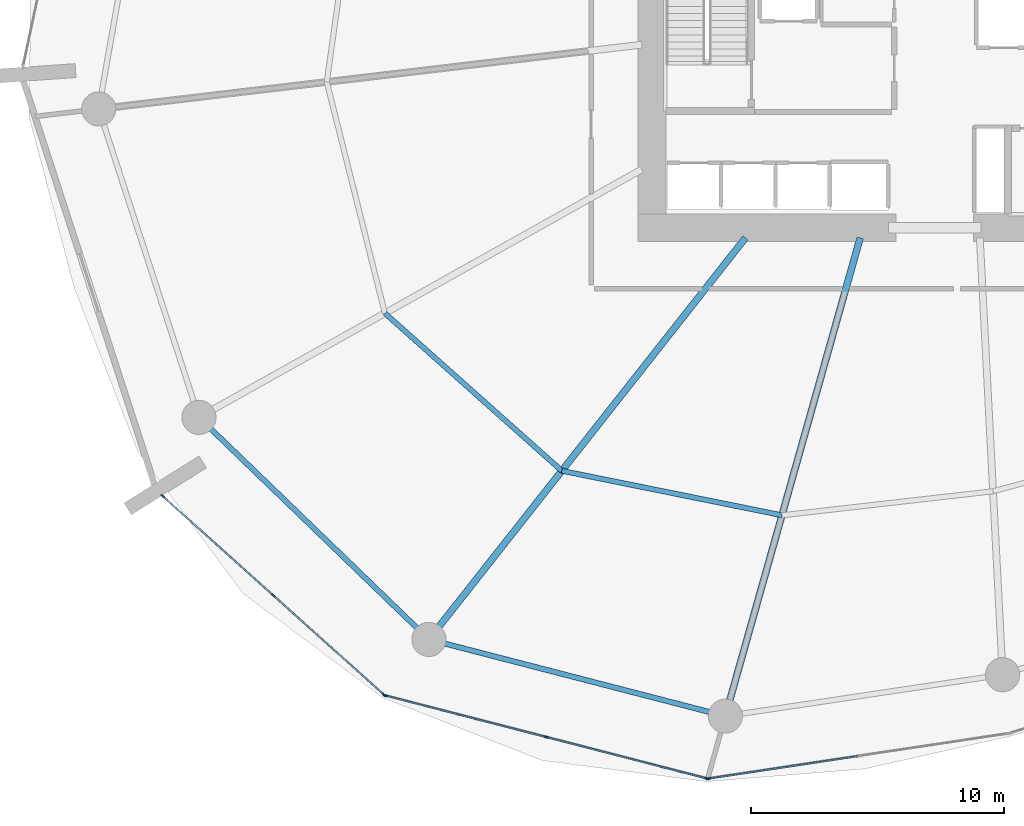
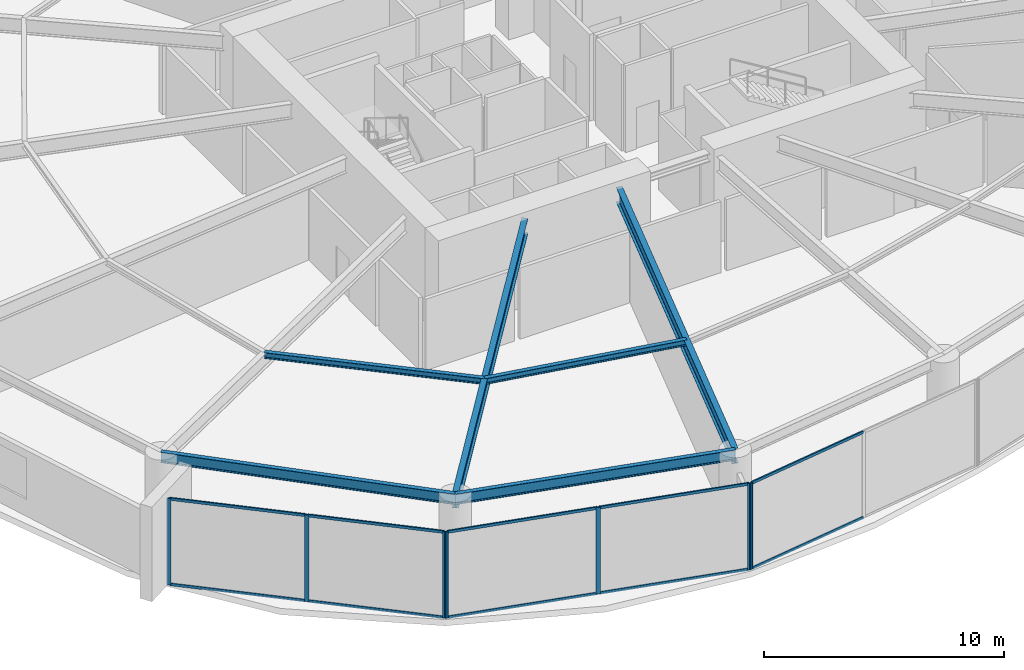
# One storey, part 7 of 22: 17 members, 6 beams, 3 elements without a shape of their own.
"""IFC4 building model written with IfcOpenShell, lengths in metres."""

import ifcopenshell
import ifcopenshell.guid

model = None  # the IFC model being written
_history = None  # IfcOwnerHistory: only IFC2X3 demands one
_inside = {}  # id of a spatial element -> (the spatial element, [elements in it])
_under = {}  # id of a project, library or spatial element -> (it, [spatial elements below it])
_declared = {}  # id of a project -> (the project, [libraries it declares])
_typed = {}  # id of a type object -> (the type object, [elements of that type])
_made_of = {}  # id of a material, layer set ... -> (it, [elements and type objects made of it])


def new_model(schema):
    """Start an empty IFC model of exactly this schema.

    Asked for "IFC4X3", IfcOpenShell would pick the latest addendum, in which some entities
    have other attributes; the version numbers below select the first issue.
    IFC2X3 requires an IfcOwnerHistory on every rooted entity: one is made here for all.
    """
    global model, _history
    if schema == "IFC4X3":
        model = ifcopenshell.file(schema_version=(4, 3, 0, 0))
    else:
        model = ifcopenshell.file(schema=schema)
    _inside.clear()
    _under.clear()
    _declared.clear()
    _typed.clear()
    _made_of.clear()
    _history = None
    if model.schema == "IFC2X3":
        org = make("IfcOrganization", Name="unknown")
        user = make(
            "IfcPersonAndOrganization",
            ThePerson=make("IfcPerson", FamilyName="unknown"),
            TheOrganization=org,
        )
        app = make(
            "IfcApplication",
            ApplicationDeveloper=org,
            Version="unknown",
            ApplicationFullName="unknown",
            ApplicationIdentifier="unknown",
        )
        _history = make(
            "IfcOwnerHistory",
            OwningUser=user,
            OwningApplication=app,
            ChangeAction="ADDED",
            CreationDate=0,
        )
    return model


def make(cls, **values):
    """One entity of the class cls with the attributes given. An attribute that is None is left unset."""
    return model.create_entity(
        cls, **{name: value for name, value in values.items() if value is not None}
    )


def rooted(cls, **values):
    """An entity with a GlobalId (a new one), such as an element, a storey or a relation."""
    return make(cls, GlobalId=ifcopenshell.guid.new(), OwnerHistory=_history, **values)


def si_unit(unit_type, name, prefix=None):
    """IfcSIUnit, for example si_unit("LENGTHUNIT", "METRE", prefix="MILLI")."""
    return make("IfcSIUnit", UnitType=unit_type, Prefix=prefix, Name=name)


def assignment(units):
    """IfcUnitAssignment: the units of a project."""
    return None if units is None else make("IfcUnitAssignment", Units=units)


def point(xyz):
    """IfcCartesianPoint."""
    return None if xyz is None else make("IfcCartesianPoint", Coordinates=xyz)


def direction(xyz):
    """IfcDirection."""
    return None if xyz is None else make("IfcDirection", DirectionRatios=xyz)


def frame(location, z_axis=None, x_axis=None):
    """IfcAxis2Placement3D, a coordinate frame: its origin and axes. An axis left out is left unset."""
    return make(
        "IfcAxis2Placement3D",
        Location=point(location),
        Axis=direction(z_axis),
        RefDirection=direction(x_axis),
    )


def frame_2d(location, x_axis=None):
    """IfcAxis2Placement2D, a coordinate frame in the plane: its origin and x axis."""
    return make(
        "IfcAxis2Placement2D", Location=point(location), RefDirection=direction(x_axis)
    )


def origin():
    """The frame at (0, 0, 0) with its axes left unset."""
    return frame((0.0, 0.0, 0.0))


def origin_2d():
    """The frame at (0, 0) in the plane with its x axis left unset."""
    return frame_2d((0.0, 0.0))


def place(relative_to, where):
    """IfcLocalPlacement: puts the frame where relative to a parent placement (None: the world)."""
    return make(
        "IfcLocalPlacement", PlacementRelTo=relative_to, RelativePlacement=where
    )


def context(
    kind, dimensions, precision=None, world=None, true_north=None, identifier=None
):
    """IfcGeometricRepresentationContext, for example the 3D "Model" context."""
    return make(
        "IfcGeometricRepresentationContext",
        ContextIdentifier=identifier,
        ContextType=kind,
        CoordinateSpaceDimension=dimensions,
        Precision=precision,
        WorldCoordinateSystem=world,
        TrueNorth=true_north,
    )


def subcontext(parent, identifier, kind, view, scale=None):
    """IfcGeometricRepresentationSubContext, for example "Body" below "Model"."""
    return make(
        "IfcGeometricRepresentationSubContext",
        ContextIdentifier=identifier,
        ContextType=kind,
        ParentContext=parent,
        TargetScale=scale,
        TargetView=view,
    )


def project(units=None, contexts=None):
    """IfcProject with its units and contexts."""
    return rooted(
        "IfcProject",
        Name="project",
        RepresentationContexts=contexts,
        UnitsInContext=assignment(units),
    )


def spatial(cls, under=None, at=None, **own):
    """A site, building, storey or space (cls), placed at a placement, below another one or the project."""
    s = rooted(cls, ObjectPlacement=at, **own)
    if under is not None:
        _under.setdefault(under.id(), (under, []))[1].append(s)
    return s


def profile(cls, at=None, kind="AREA", **sizes):
    """A parametric profile (cls). Its sizes go by their IFC names, for example OverallWidth=200.0."""
    return make(cls, ProfileType=kind, Position=at, **sizes)


def rectangle(**sizes):
    """IfcRectangleProfileDef."""
    return profile("IfcRectangleProfileDef", **sizes)


def i_section(**sizes):
    """IfcIShapeProfileDef."""
    return profile("IfcIShapeProfileDef", **sizes)


def extrude(swept, where, along, depth):
    """IfcExtrudedAreaSolid: the profile swept, set in the frame where, extruded along a direction by depth."""
    return make(
        "IfcExtrudedAreaSolid",
        SweptArea=swept,
        Position=where,
        ExtrudedDirection=direction(along),
        Depth=depth,
    )


def shape(context_of_items, identifier, shape_type, items):
    """IfcShapeRepresentation: the items that make up one representation, for example the "Body"."""
    return make(
        "IfcShapeRepresentation",
        ContextOfItems=context_of_items,
        RepresentationIdentifier=identifier,
        RepresentationType=shape_type,
        Items=items,
    )


def material(Name=None, Category=None):
    """IfcMaterial."""
    return make("IfcMaterial", Name=Name, Category=Category)


def layer(
    of_material, thickness, ventilated=None, Name=None, Category=None, Priority=None
):
    """IfcMaterialLayer: one layer of a wall or slab, of a material (None: an air gap)."""
    return make(
        "IfcMaterialLayer",
        Material=of_material,
        LayerThickness=thickness,
        IsVentilated=ventilated,
        Name=Name,
        Category=Category,
        Priority=Priority,
    )


def layer_set(layers, Name=None):
    """IfcMaterialLayerSet."""
    return make("IfcMaterialLayerSet", MaterialLayers=layers, LayerSetName=Name)


def material_profile(
    of_material, cross_section, Name=None, Category=None, Priority=None
):
    """IfcMaterialProfile: a cross section and its material."""
    return make(
        "IfcMaterialProfile",
        Name=Name,
        Material=of_material,
        Profile=cross_section,
        Priority=Priority,
        Category=Category,
    )


def profile_set(profiles, Name=None, composite=None):
    """IfcMaterialProfileSet."""
    return make(
        "IfcMaterialProfileSet",
        Name=Name,
        MaterialProfiles=profiles,
        CompositeProfile=composite,
    )


def made_of(thing, what):
    """Note that an element or type object is made of a material, layer set ...; save() writes the relation."""
    if what is not None:
        _made_of.setdefault(what.id(), (what, []))[1].append(thing)
    return thing


def type_object(cls, material=None, **own):
    """A type object (cls), such as IfcWallType, which elements share."""
    return made_of(rooted(cls, **own), material)


def element(
    cls,
    number,
    at=None,
    inside=None,
    cuts=None,
    type_object=None,
    material=None,
    context=None,
    identifier="Body",
    shape_type=None,
    held_by="IfcProductDefinitionShape",
    body=None,
    shapes=None,
    **own,
):
    """One element of the class cls, such as IfcWall. Its Tag is "e" and its number.

    at: its placement. inside: the storey or other place that contains it. cuts: it is an
    opening in that element (IfcRelVoidsElement). A single representation is given by context,
    identifier, shape_type and body (its items); several are given by shapes. held_by: the class
    of the entity that holds the representations. save() writes the other relations.
    """
    e = rooted(cls, Tag="e%d" % number, ObjectPlacement=at, **own)
    if body is not None:
        shapes = [shape(context, identifier, shape_type, body)]
    if shapes is not None:
        e.Representation = make(held_by, Representations=shapes)
    if inside is not None:
        _inside.setdefault(inside.id(), (inside, []))[1].append(e)
    if cuts is not None:
        rooted(
            "IfcRelVoidsElement", RelatingBuildingElement=cuts, RelatedOpeningElement=e
        )
    if type_object is not None:
        _typed.setdefault(type_object.id(), (type_object, []))[1].append(e)
    return made_of(e, material)


def aggregate(whole, parts):
    """IfcRelAggregates: a whole, such as a stair, and the parts it consists of."""
    return rooted("IfcRelAggregates", RelatingObject=whole, RelatedObjects=parts)


def save(model, path):
    """Write the relations noted so far, then the file.

    IfcRelAggregates (storeys below a building ...), IfcRelContainedInSpatialStructure (elements
    in a storey), IfcRelDefinesByType, IfcRelAssociatesMaterial and IfcRelDeclares: one each for
    every whole, place, type object, material and project.
    """
    for whole, parts in _under.values():
        aggregate(whole, parts)
    for where, things in _inside.values():
        rooted(
            "IfcRelContainedInSpatialStructure",
            RelatedElements=things,
            RelatingStructure=where,
        )
    for kind, things in _typed.values():
        rooted("IfcRelDefinesByType", RelatedObjects=things, RelatingType=kind)
    for what, things in _made_of.values():
        rooted("IfcRelAssociatesMaterial", RelatedObjects=things, RelatingMaterial=what)
    for by, libraries in _declared.values():
        rooted("IfcRelDeclares", RelatingContext=by, RelatedDefinitions=libraries)
    model.write(path)


model = new_model("IFC4")

# Units and contexts
model_context = context("Model", 3, precision=1e-05, world=origin(), true_north=direction((0.0, 1.0)))
body_context = subcontext(model_context, "Body", "Model", "MODEL_VIEW")
ifc_project = project(units=[si_unit("LENGTHUNIT", "METRE"), si_unit("AREAUNIT", "SQUARE_METRE"), si_unit("VOLUMEUNIT", "CUBIC_METRE"), si_unit("PLANEANGLEUNIT", "RADIAN"), si_unit("MASSUNIT", "GRAM", prefix="KILO")], contexts=[model_context])

# Site, building, storey
site_placement = place(None, origin())
site = spatial("IfcSite", under=ifc_project, at=site_placement, CompositionType="ELEMENT")
building_placement = place(site_placement, origin())
building = spatial("IfcBuilding", under=site, at=building_placement, Name="Kazma Halo Residences", CompositionType="ELEMENT")
storey_placement = place(building_placement, frame((0.0, 0.0, 16.800048828125)))
storey = spatial("IfcBuildingStorey", under=building, at=storey_placement, Name="L03", CompositionType="ELEMENT", Elevation=16.800048828125)

# Beams
ifc_material_1 = material(Name="Steel S355", Category="steel")
ifc_material_profile_1 = material_profile(ifc_material_1, i_section(OverallWidth=0.26708984375, OverallDepth=0.761962890625, WebThickness=0.014404296875, FlangeThickness=0.021484375, FilletRadius=0.02001953125, at=origin_2d()), Name="W760x173")
ifc_profile_set_1 = profile_set([ifc_material_profile_1], Name="Steel S355")
beam_type_1 = type_object("IfcBeamType", Name="BM-POD-W760", PredefinedType="BEAM", material=ifc_profile_set_1)
beam_1_placement = place(storey_placement, frame((40.9443359375, 33.050048828125, 4.01904296875), z_axis=(-0.619089277374, -0.785320613915, 0.0), x_axis=(0.785320613915, -0.619089277374, 0.0)))
element("IfcBeam", 1, at=beam_1_placement, inside=storey, type_object=beam_type_1, Name="L03 radial floor beam 10", PredefinedType="BEAM", context=body_context, shape_type="SweptSolid", body=[
    extrude(i_section(OverallWidth=0.26708984375, OverallDepth=0.761962890625, WebThickness=0.014404296875, FlangeThickness=0.021484375, FilletRadius=0.02001953125, at=origin_2d()), origin(), (0.0, 0.0, 1.0), 20.18701171875),
])
beam_2_placement = place(storey_placement, frame((45.475830078125, 33.050048828125, 4.01904296875), z_axis=(-0.271433858007, -0.962457095526, 0.0), x_axis=(0.962457095526, -0.271433858007, 0.0)))
element("IfcBeam", 2, at=beam_2_placement, inside=storey, type_object=beam_type_1, Name="L03 radial floor beam 11", PredefinedType="BEAM", context=body_context, shape_type="SweptSolid", body=[
    extrude(i_section(OverallWidth=0.26708984375, OverallDepth=0.761962890625, WebThickness=0.014404296875, FlangeThickness=0.021484375, FilletRadius=0.02001953125, at=origin_2d()), origin(), (0.0, 0.0, 1.0), 19.617919921875),
])
ifc_material_profile_2 = material_profile(ifc_material_1, i_section(OverallWidth=0.202880859375, OverallDepth=0.302978515625, WebThickness=0.007568359375, FlangeThickness=0.01318359375, FilletRadius=0.013916015625, at=origin_2d()), Name="W310x60")
ifc_profile_set_2 = profile_set([ifc_material_profile_2], Name="Steel S355")
beam_type_2 = type_object("IfcBeamType", Name="BM-SEC-W310A", PredefinedType="JOIST", material=ifc_profile_set_2)
beam_3_placement = place(storey_placement, frame((26.7099609375, 30.076904296875, 4.24853515625), z_axis=(0.74675669848, -0.665097311133, 0.0), x_axis=(0.665097311133, 0.74675669848, 0.0)))
element("IfcBeam", 3, at=beam_3_placement, inside=storey, type_object=beam_type_2, Name="L03 circumferential floor joist 09", PredefinedType="JOIST", context=body_context, shape_type="SweptSolid", body=[
    extrude(i_section(OverallWidth=0.202880859375, OverallDepth=0.302978515625, WebThickness=0.007568359375, FlangeThickness=0.01318359375, FilletRadius=0.013916015625, at=origin_2d()), origin(), (0.0, 0.0, 1.0), 9.35498046875),
])
beam_4_placement = place(storey_placement, frame((33.69580078125, 23.85498046875, 4.24853515625), z_axis=(0.980192243317, -0.198048393432, 0.0), x_axis=(0.198048393432, 0.980192243317, 0.0)))
element("IfcBeam", 4, at=beam_4_placement, inside=storey, type_object=beam_type_2, Name="L03 circumferential floor joist 10", PredefinedType="JOIST", context=body_context, shape_type="SweptSolid", body=[
    extrude(i_section(OverallWidth=0.202880859375, OverallDepth=0.302978515625, WebThickness=0.007568359375, FlangeThickness=0.01318359375, FilletRadius=0.013916015625, at=origin_2d()), origin(), (0.0, 0.0, 1.0), 8.866943359375),
])
ifc_material_profile_3 = material_profile(ifc_material_1, i_section(OverallWidth=0.208984375, OverallDepth=0.532958984375, WebThickness=0.01025390625, FlangeThickness=0.015625, FilletRadius=0.01611328125, at=origin_2d()), Name="W530x92")
ifc_profile_set_3 = profile_set([ifc_material_profile_3], Name="Steel S355")
beam_type_3 = type_object("IfcBeamType", Name="BM-SPN-W530", PredefinedType="BEAM", material=ifc_profile_set_3)
beam_5_placement = place(storey_placement, frame((19.3671875, 25.96484375, 4.133544921875), z_axis=(0.719339467226, -0.694658715407, 0.0), x_axis=(0.694658715407, 0.719339467226, 0.0)))
element("IfcBeam", 5, at=beam_5_placement, inside=storey, type_object=beam_type_3, Name="L03 perimeter ring beam 09", PredefinedType="BEAM", context=body_context, shape_type="SweptSolid", body=[
    extrude(i_section(OverallWidth=0.208984375, OverallDepth=0.532958984375, WebThickness=0.01025390625, FlangeThickness=0.015625, FilletRadius=0.01611328125, at=origin_2d()), origin(), (0.0, 0.0, 1.0), 12.6220703125),
])
beam_6_placement = place(storey_placement, frame((28.44677734375, 17.19677734375, 4.133544921875), z_axis=(0.968123781445, -0.250472241578, 0.0), x_axis=(0.250472241578, 0.968123781445, 0.0)))
element("IfcBeam", 6, at=beam_6_placement, inside=storey, type_object=beam_type_3, Name="L03 perimeter ring beam 10", PredefinedType="BEAM", context=body_context, shape_type="SweptSolid", body=[
    extrude(i_section(OverallWidth=0.208984375, OverallDepth=0.532958984375, WebThickness=0.01025390625, FlangeThickness=0.015625, FilletRadius=0.01611328125, at=origin_2d()), origin(), (0.0, 0.0, 1.0), 12.08935546875),
])

# Curtain wall, members
ifc_material_2 = material(Name="Aluminium AW-6063 T6 and Triple-Silver Low-E Glass", Category="aluminium")
ifc_layer = layer(ifc_material_2, 0.179931640625)
ifc_layer_set = layer_set([ifc_layer], Name="Aluminium AW-6063 T6 and Triple-Silver Low-E Glass")
curtain_wall_type = type_object("IfcCurtainWallType", Name="CW-SYS-1", PredefinedType="NOTDEFINED", material=ifc_layer_set)
curtain_wall_1_placement = place(storey_placement, origin())
curtain_wall_1 = element("IfcCurtainWall", 7, at=curtain_wall_1_placement, inside=storey, type_object=curtain_wall_type, Name="L03 unitised curtain wall B09", PredefinedType="NOTDEFINED")
ifc_material_3 = material(Name="Aluminium AW-6063 T6", Category="aluminium")
ifc_material_profile_4 = material_profile(ifc_material_3, rectangle(XDim=0.06494140625, YDim=0.179931640625, at=origin_2d()), Name="CWM-65x180")
ifc_profile_set_4 = profile_set([ifc_material_profile_4], Name="Aluminium AW-6063 T6")
member_type_1 = type_object("IfcMemberType", Name="CW-SYS-1-MUL", PredefinedType="MULLION", material=ifc_profile_set_4)
member_1_placement = place(storey_placement, frame((17.94140625, 22.85009765625, 0.0), z_axis=(0.0, 0.0, 1.0), x_axis=(0.667847908139, 0.744297770784, 0.0)))
member_1 = element("IfcMember", 8, at=member_1_placement, type_object=member_type_1, Name="CWS-1 mullion 1", PredefinedType="MULLION", context=body_context, shape_type="SweptSolid", body=[
    extrude(rectangle(XDim=0.06494140625, YDim=0.179931640625, at=origin_2d()), origin(), (0.0, 0.0, 1.0), 4.39990234375),
])
member_2_placement = place(storey_placement, frame((22.310791015625, 18.929443359375, 0.0), z_axis=(0.0, 0.0, 1.0), x_axis=(0.667847908139, 0.744297770784, 0.0)))
member_2 = element("IfcMember", 9, at=member_2_placement, type_object=member_type_1, Name="CWS-1 mullion 2", PredefinedType="MULLION", context=body_context, shape_type="SweptSolid", body=[
    extrude(rectangle(XDim=0.06494140625, YDim=0.179931640625, at=origin_2d()), origin(), (0.0, 0.0, 1.0), 4.39990234375),
])
member_3_placement = place(storey_placement, frame((26.680419921875, 15.0087890625, 0.0), z_axis=(0.0, 0.0, 1.0), x_axis=(0.667847908139, 0.744297770784, 0.0)))
member_3 = element("IfcMember", 10, at=member_3_placement, type_object=member_type_1, Name="CWS-1 mullion 3", PredefinedType="MULLION", context=body_context, shape_type="SweptSolid", body=[
    extrude(rectangle(XDim=0.06494140625, YDim=0.179931640625, at=origin_2d()), origin(), (0.0, 0.0, 1.0), 4.39990234375),
])

curtain_wall_2_placement = place(storey_placement, origin())
curtain_wall_2 = element("IfcCurtainWall", 11, at=curtain_wall_2_placement, inside=storey, type_object=curtain_wall_type, Name="L03 unitised curtain wall B10", PredefinedType="NOTDEFINED")
member_4_placement = place(storey_placement, frame((26.736083984375, 14.97900390625, 0.0), z_axis=(0.0, 0.0, 1.0), x_axis=(0.249727103953, 0.96831625699, 0.0)))
member_4 = element("IfcMember", 12, at=member_4_placement, type_object=member_type_1, Name="CWS-1 mullion 1", PredefinedType="MULLION", context=body_context, shape_type="SweptSolid", body=[
    extrude(rectangle(XDim=0.06494140625, YDim=0.179931640625, at=origin_2d()), origin(), (0.0, 0.0, 1.0), 4.39990234375),
])
member_5_placement = place(storey_placement, frame((33.079345703125, 13.343017578125, 0.0), z_axis=(0.0, 0.0, 1.0), x_axis=(0.249727103953, 0.96831625699, 0.0)))
member_5 = element("IfcMember", 13, at=member_5_placement, type_object=member_type_1, Name="CWS-1 mullion 2", PredefinedType="MULLION", context=body_context, shape_type="SweptSolid", body=[
    extrude(rectangle(XDim=0.06494140625, YDim=0.179931640625, at=origin_2d()), origin(), (0.0, 0.0, 1.0), 4.39990234375),
])
member_6_placement = place(storey_placement, frame((39.4228515625, 11.70703125, 0.0), z_axis=(0.0, 0.0, 1.0), x_axis=(0.249727103953, 0.96831625699, 0.0)))
member_6 = element("IfcMember", 14, at=member_6_placement, type_object=member_type_1, Name="CWS-1 mullion 3", PredefinedType="MULLION", context=body_context, shape_type="SweptSolid", body=[
    extrude(rectangle(XDim=0.06494140625, YDim=0.179931640625, at=origin_2d()), origin(), (0.0, 0.0, 1.0), 4.39990234375),
])

# Curtain wall, member
curtain_wall_3_placement = place(storey_placement, origin())
curtain_wall_3 = element("IfcCurtainWall", 15, at=curtain_wall_3_placement, inside=storey, type_object=curtain_wall_type, Name="L03 unitised curtain wall B11", PredefinedType="NOTDEFINED")
member_7_placement = place(storey_placement, frame((39.486328125, 11.70361328125, 0.0), z_axis=(0.0, 0.0, 1.0), x_axis=(-0.148548966342, 0.988905053379, 0.0)))
member_7 = element("IfcMember", 16, at=member_7_placement, type_object=member_type_1, Name="CWS-1 mullion 1", PredefinedType="MULLION", context=body_context, shape_type="SweptSolid", body=[
    extrude(rectangle(XDim=0.06494140625, YDim=0.179931640625, at=origin_2d()), origin(), (0.0, 0.0, 1.0), 4.39990234375),
])

# Member
ifc_material_profile_5 = material_profile(ifc_material_3, rectangle(XDim=0.06494140625, YDim=0.135009765625, at=origin_2d()), Name="CWT-65x135")
ifc_profile_set_5 = profile_set([ifc_material_profile_5], Name="Aluminium AW-6063 T6")
member_type_2 = type_object("IfcMemberType", Name="CW-SYS-1-TRN", PredefinedType="USERDEFINED", material=ifc_profile_set_5)
member_8_placement = place(storey_placement, frame((17.965576171875, 22.828369140625, 0.032470703125), z_axis=(0.744299097196, -0.667846429887, 0.0), x_axis=(0.667846429887, 0.744299097196, 0.0)))
member_8 = element("IfcMember", 17, at=member_8_placement, type_object=member_type_2, Name="CWS-1 transom 1.1", ObjectType="TRANSOM", PredefinedType="USERDEFINED", context=body_context, shape_type="SweptSolid", body=[
    extrude(rectangle(XDim=0.06494140625, YDim=0.135009765625, at=origin_2d()), origin(), (0.0, 0.0, 1.0), 5.805419921875),
])

member_9_placement = place(storey_placement, frame((17.965576171875, 22.828369140625, 4.367431640625), z_axis=(0.744299097196, -0.667846429887, 0.0), x_axis=(0.667846429887, 0.744299097196, 0.0)))
member_9 = element("IfcMember", 18, at=member_9_placement, type_object=member_type_2, Name="CWS-1 transom 1.2", ObjectType="TRANSOM", PredefinedType="USERDEFINED", context=body_context, shape_type="SweptSolid", body=[
    extrude(rectangle(XDim=0.06494140625, YDim=0.135009765625, at=origin_2d()), origin(), (0.0, 0.0, 1.0), 5.805419921875),
])

member_10_placement = place(storey_placement, frame((22.3349609375, 18.90771484375, 0.032470703125), z_axis=(0.744317852823, -0.667825526592, 0.0), x_axis=(0.667825526592, 0.744317852823, 0.0)))
member_10 = element("IfcMember", 19, at=member_10_placement, type_object=member_type_2, Name="CWS-1 transom 2.1", ObjectType="TRANSOM", PredefinedType="USERDEFINED", context=body_context, shape_type="SweptSolid", body=[
    extrude(rectangle(XDim=0.06494140625, YDim=0.135009765625, at=origin_2d()), origin(), (0.0, 0.0, 1.0), 5.8056640625),
])

member_11_placement = place(storey_placement, frame((22.3349609375, 18.90771484375, 4.367431640625), z_axis=(0.744317852823, -0.667825526592, 0.0), x_axis=(0.667825526592, 0.744317852823, 0.0)))
member_11 = element("IfcMember", 20, at=member_11_placement, type_object=member_type_2, Name="CWS-1 transom 2.2", ObjectType="TRANSOM", PredefinedType="USERDEFINED", context=body_context, shape_type="SweptSolid", body=[
    extrude(rectangle(XDim=0.06494140625, YDim=0.135009765625, at=origin_2d()), origin(), (0.0, 0.0, 1.0), 5.8056640625),
])

aggregate(curtain_wall_1, [member_1, member_2, member_3, member_8, member_9, member_10, member_11])

member_12_placement = place(storey_placement, frame((26.767578125, 14.970703125, 0.032470703125), z_axis=(0.968317854782, -0.249720908437, 0.0), x_axis=(0.249720908437, 0.968317854782, 0.0)))
member_12 = element("IfcMember", 21, at=member_12_placement, type_object=member_type_2, Name="CWS-1 transom 1.1", ObjectType="TRANSOM", PredefinedType="USERDEFINED", context=body_context, shape_type="SweptSolid", body=[
    extrude(rectangle(XDim=0.06494140625, YDim=0.135009765625, at=origin_2d()), origin(), (0.0, 0.0, 1.0), 6.48583984375),
])

member_13_placement = place(storey_placement, frame((26.767578125, 14.970703125, 4.367431640625), z_axis=(0.968317854782, -0.249720908437, 0.0), x_axis=(0.249720908437, 0.968317854782, 0.0)))
member_13 = element("IfcMember", 22, at=member_13_placement, type_object=member_type_2, Name="CWS-1 transom 1.2", ObjectType="TRANSOM", PredefinedType="USERDEFINED", context=body_context, shape_type="SweptSolid", body=[
    extrude(rectangle(XDim=0.06494140625, YDim=0.135009765625, at=origin_2d()), origin(), (0.0, 0.0, 1.0), 6.48583984375),
])

member_14_placement = place(storey_placement, frame((33.11083984375, 13.334716796875, 0.032470703125), z_axis=(0.968320202065, -0.249711806433, 0.0), x_axis=(0.249711806433, 0.968320202065, 0.0)))
member_14 = element("IfcMember", 23, at=member_14_placement, type_object=member_type_2, Name="CWS-1 transom 2.1", ObjectType="TRANSOM", PredefinedType="USERDEFINED", context=body_context, shape_type="SweptSolid", body=[
    extrude(rectangle(XDim=0.06494140625, YDim=0.135009765625, at=origin_2d()), origin(), (0.0, 0.0, 1.0), 6.486083984375),
])

member_15_placement = place(storey_placement, frame((33.11083984375, 13.334716796875, 4.367431640625), z_axis=(0.968320202065, -0.249711806433, 0.0), x_axis=(0.249711806433, 0.968320202065, 0.0)))
member_15 = element("IfcMember", 24, at=member_15_placement, type_object=member_type_2, Name="CWS-1 transom 2.2", ObjectType="TRANSOM", PredefinedType="USERDEFINED", context=body_context, shape_type="SweptSolid", body=[
    extrude(rectangle(XDim=0.06494140625, YDim=0.135009765625, at=origin_2d()), origin(), (0.0, 0.0, 1.0), 6.486083984375),
])

aggregate(curtain_wall_2, [member_4, member_5, member_6, member_12, member_13, member_14, member_15])

member_16_placement = place(storey_placement, frame((39.5185546875, 11.70849609375, 0.032470703125), z_axis=(0.988903408536, 0.14855991581, 0.0), x_axis=(-0.14855991581, 0.988903408536, 0.0)))
member_16 = element("IfcMember", 25, at=member_16_placement, type_object=member_type_2, Name="CWS-1 transom 1.1", ObjectType="TRANSOM", PredefinedType="USERDEFINED", context=body_context, shape_type="SweptSolid", body=[
    extrude(rectangle(XDim=0.06494140625, YDim=0.135009765625, at=origin_2d()), origin(), (0.0, 0.0, 1.0), 5.92919921875),
])

member_17_placement = place(storey_placement, frame((39.5185546875, 11.70849609375, 4.367431640625), z_axis=(0.988903408536, 0.14855991581, 0.0), x_axis=(-0.14855991581, 0.988903408536, 0.0)))
member_17 = element("IfcMember", 26, at=member_17_placement, type_object=member_type_2, Name="CWS-1 transom 1.2", ObjectType="TRANSOM", PredefinedType="USERDEFINED", context=body_context, shape_type="SweptSolid", body=[
    extrude(rectangle(XDim=0.06494140625, YDim=0.135009765625, at=origin_2d()), origin(), (0.0, 0.0, 1.0), 5.92919921875),
])

aggregate(curtain_wall_3, [member_7, member_16, member_17])

save(model, "model.ifc")
